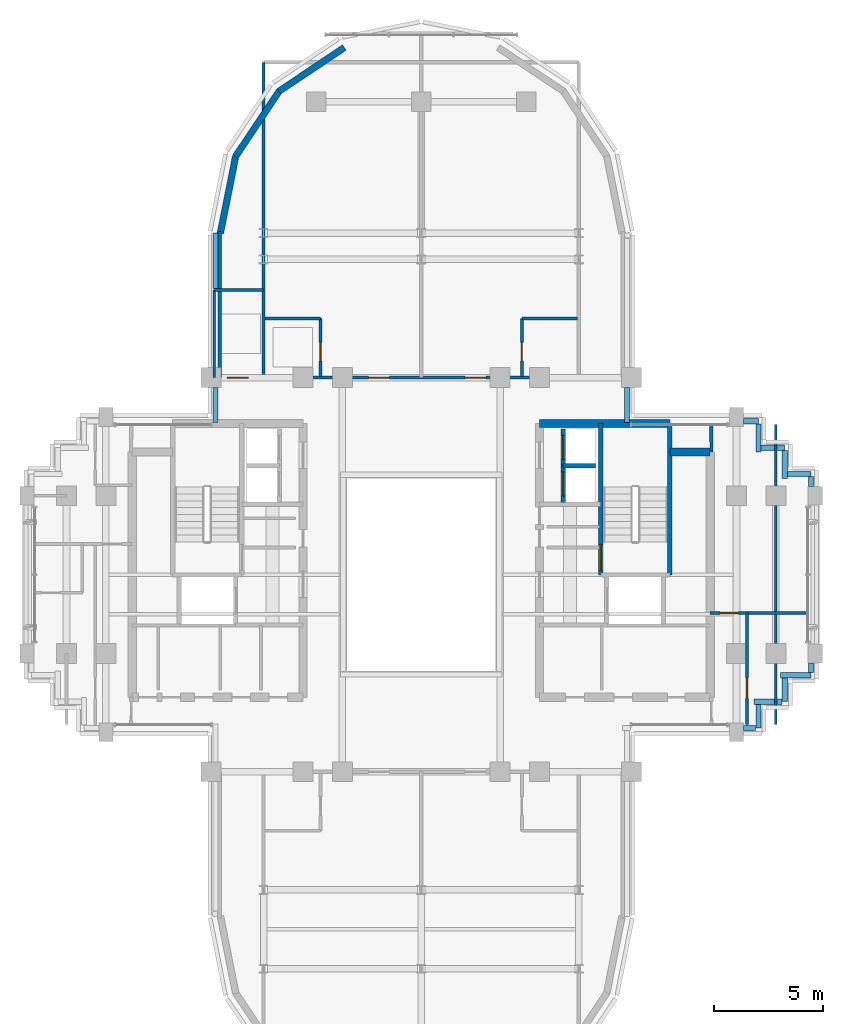
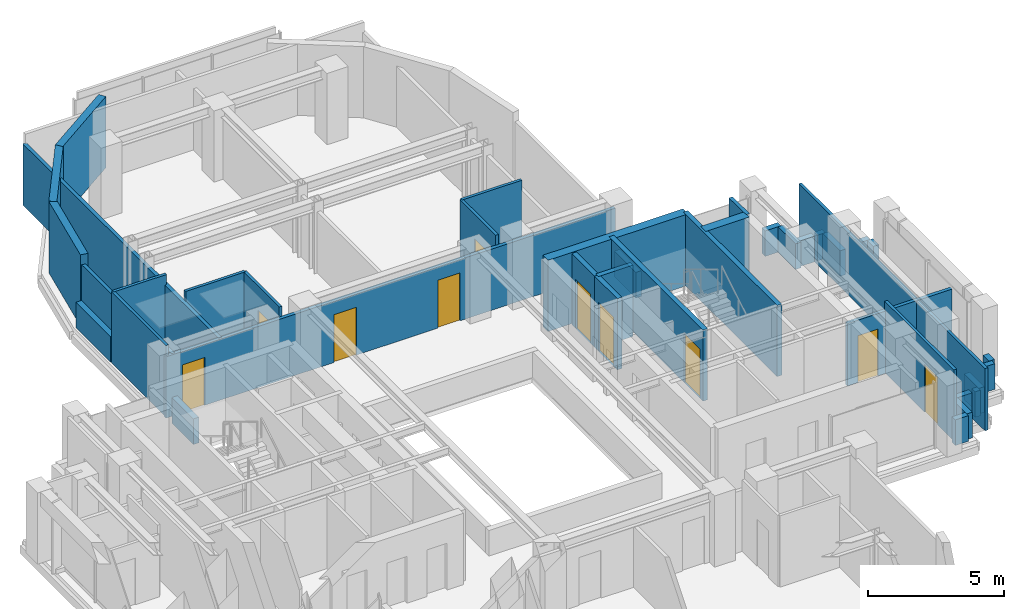
# One storey, part 8 of 12: 40 walls, 10 doors, 10 openings.
"""IFC4 building model written with IfcOpenShell, lengths in metres."""

from ifc_helpers import new_model, si_unit, direction, frame, frame_2d, origin, place, context, subcontext, project, spatial, rectangle, extrude, source, transform, mapped, material, layer, layer_set, type_object, element, fill, save


model = new_model("IFC4")

# Units and contexts
model_context = context("Model", 3, precision=1e-05, world=origin(), true_north=direction((0.0, 1.0)))
body_context = subcontext(model_context, "Body", "Model", "MODEL_VIEW")
ifc_project = project(units=[si_unit("LENGTHUNIT", "METRE"), si_unit("AREAUNIT", "SQUARE_METRE"), si_unit("VOLUMEUNIT", "CUBIC_METRE"), si_unit("PLANEANGLEUNIT", "RADIAN"), si_unit("MASSUNIT", "GRAM", prefix="KILO")], contexts=[model_context])

# Site, building, storey
site_placement = place(None, origin())
site = spatial("IfcSite", under=ifc_project, at=site_placement, CompositionType="ELEMENT")
building_placement = place(site_placement, origin())
building = spatial("IfcBuilding", under=site, at=building_placement, Name="Keilestroom Media Tower", CompositionType="ELEMENT")
storey_placement = place(building_placement, frame((0.0, 0.0, 184.199951171875)))
storey = spatial("IfcBuildingStorey", under=building, at=storey_placement, Name="L50", CompositionType="ELEMENT", Elevation=184.199951171875)

# Walls
ifc_material_1 = material(Name="Precast concrete C40/50", Category="concrete")
ifc_layer_1 = layer(ifc_material_1, 0.300048828125)
ifc_layer_set_1 = layer_set([ifc_layer_1], Name="Precast concrete C40/50")
wall_type_1 = type_object("IfcWallType", Name="Exterior-Masonry-Spandrel-Wall-300", PredefinedType="SOLIDWALL", material=ifc_layer_set_1)
wall_1_placement = place(storey_placement, frame((-3.510009765625, 24.073486328125, 0.0), z_axis=(0.0, 0.0, 1.0), x_axis=(-0.8314749531, -0.555562239868, 0.0)))
element("IfcWall", 1, at=wall_1_placement, inside=storey, type_object=wall_type_1, Name="L50 Lobe Facet Precast Frame Wall 04", PredefinedType="SOLIDWALL", context=body_context, shape_type="SweptSolid", body=[
    extrude(rectangle(XDim=3.59326171875, YDim=0.300048828125, at=frame_2d((1.796630859375, 0.0))), origin(), (0.0, 0.0, 1.0), 3.199951171875),
])
for number, where, z_axis, x_axis, name in (
    (2, (-6.47705078125, 22.097900390625, 0.0), (0.0, 0.0, 1.0), (-0.555574187116, -0.831466970246, 0.0), "L50 Lobe Facet Precast Frame Wall 05"),
    (3, (-8.470703125, 19.12451171875, 0.0), (0.0, 0.0, 1.0), (-0.195114232679, -0.980780523974, 0.0), "L50 Lobe Facet Precast Frame Wall 06"),
):
    element("IfcWall", number, at=place(storey_placement, frame(where, z_axis=z_axis, x_axis=x_axis)), inside=storey, type_object=wall_type_1, Name=name, PredefinedType="SOLIDWALL", context=body_context, shape_type="SweptSolid", body=[
        extrude(rectangle(XDim=3.608642578125, YDim=0.300048828125, at=frame_2d((1.80419921875, 0.0))), origin(), (0.0, 0.0, 1.0), 3.199951171875),
    ])
ifc_material_2 = material(Name="Gypsum Plasterboard & Steel Stud", Category="steel")
ifc_layer_2 = layer(ifc_material_2, 0.1201171875)
ifc_layer_set_2 = layer_set([ifc_layer_2], Name="Gypsum Plasterboard & Steel Stud")
wall_type_2 = type_object("IfcWallType", Name="Interior-Partition-Wall-120", PredefinedType="PARTITIONING", material=ifc_layer_set_2)
wall_2_placement = place(storey_placement, frame((-9.449951171875, 13.0, 0.0), z_axis=(0.0, 0.0, 1.0), x_axis=(1.0, 0.0, 0.0)))
element("IfcWall", 4, at=wall_2_placement, inside=storey, type_object=wall_type_2, Name="L50 Interior Wall WP-L50-H306-WC-N", PredefinedType="PARTITIONING", context=body_context, shape_type="SweptSolid", body=[
    extrude(rectangle(XDim=2.25, YDim=0.1201171875, at=frame_2d((1.125, 0.0))), origin(), (0.0, 0.0, 1.0), 3.199951171875),
])
wall_3_placement = place(storey_placement, frame((-9.449951171875, 9.0, 0.0), z_axis=(0.0, 0.0, 1.0), x_axis=(0.0, 1.0, 0.0)))
element("IfcWall", 5, at=wall_3_placement, inside=storey, type_object=wall_type_2, Name="L50 Interior Wall WP-L50-H306-WC-W", PredefinedType="PARTITIONING", context=body_context, shape_type="SweptSolid", body=[
    extrude(rectangle(XDim=4.0, YDim=0.1201171875, at=frame_2d((2.0, 0.0))), origin(), (0.0, 0.0, 1.0), 3.199951171875),
])

# Wall, opening, door
wall_4_placement = place(storey_placement, frame((-4.60009765625, 9.06005859375, 0.0), z_axis=(0.0, 0.0, 1.0), x_axis=(0.0, 1.0, 0.0)))
wall_4 = element("IfcWall", 6, at=wall_4_placement, inside=storey, type_object=wall_type_2, Name="L50 Interior Wall WP-L50-ENSW-NW", PredefinedType="PARTITIONING", context=body_context, shape_type="SweptSolid", body=[
    extrude(rectangle(XDim=2.639892578125, YDim=0.1201171875, at=frame_2d((1.31982421875, 0.0))), origin(), (0.0, 0.0, 1.0), 3.199951171875),
])
opening_1_placement = place(wall_4_placement, frame((0.699951171875, 0.0, 0.0)))
opening_1 = element("IfcOpeningElement", 7, at=opening_1_placement, cuts=wall_4, Name="Opening DI-05", PredefinedType="OPENING", context=body_context, shape_type="SweptSolid", body=[
    extrude(rectangle(XDim=0.85009765625, YDim=2.10009765625, at=frame_2d((0.425048828125, 1.050048828125))), frame((0.0, 0.070068359375, 0.0), z_axis=(0.0, -1.0, 0.0), x_axis=(1.0, 0.0, 0.0)), (0.0, 0.0, 1.0), 0.14013671875),
])
ifc_material_3 = material(Name="Moisture-Resistant Oak Leaf", Category="wood")
door_type_1 = type_object("IfcDoorType", Name="Interior-En-Suite-And-Cupboard-Door-DI-05", OperationType="NOTDEFINED", PredefinedType="DOOR", material=ifc_material_3)
shared_shape_1 = source(origin(), body_context, "Body", "SweptSolid", [
    extrude(rectangle(XDim=0.85009765625, YDim=2.10009765625, at=frame_2d((0.425048828125, 1.050048828125))), frame((0.0, 0.02490234375, 0.0), z_axis=(0.0, -1.0, 0.0), x_axis=(1.0, 0.0, 0.0)), (0.0, 0.0, 1.0), 0.050048828125),
])
door_1_placement = place(opening_1_placement, origin())
door_1 = element("IfcDoor", 8, at=door_1_placement, inside=storey, type_object=door_type_1, Name="L50 Interior Door DI-L50-DENS-NW", OperationType="SINGLE_SWING_RIGHT", OverallHeight=2.10009765625, OverallWidth=0.85009765625, PredefinedType="DOOR", context=body_context, shape_type="MappedRepresentation", body=[
    mapped(shared_shape_1, transform((0.0, 0.0, 0.0), x_axis=(1.0, 0.0, 0.0), y_axis=(0.0, 1.0, 0.0), z_axis=(0.0, 0.0, 1.0), scale=1.0)),
])
fill(opening_1, door_1)

# Wall
wall_5_placement = place(storey_placement, frame((-7.139892578125, 11.699951171875, 0.0), z_axis=(0.0, 0.0, 1.0), x_axis=(1.0, 0.0, 0.0)))
element("IfcWall", 9, at=wall_5_placement, inside=storey, type_object=wall_type_2, Name="L50 Interior Wall WP-L50-ENSH-NW", PredefinedType="PARTITIONING", context=body_context, shape_type="SweptSolid", body=[
    extrude(rectangle(XDim=2.539794921875, YDim=0.1201171875, at=frame_2d((1.27001953125, 0.0))), origin(), (0.0, 0.0, 1.0), 3.199951171875),
])

# Wall, opening, door
wall_6_placement = place(storey_placement, frame((4.60009765625, 9.06005859375, 0.0), z_axis=(0.0, 0.0, 1.0), x_axis=(0.0, 1.0, 0.0)))
wall_6 = element("IfcWall", 10, at=wall_6_placement, inside=storey, type_object=wall_type_2, Name="L50 Interior Wall WP-L50-ENSW-NE", PredefinedType="PARTITIONING", context=body_context, shape_type="SweptSolid", body=[
    extrude(rectangle(XDim=2.639892578125, YDim=0.1201171875, at=frame_2d((1.31982421875, 0.0))), origin(), (0.0, 0.0, 1.0), 3.199951171875),
])
opening_2_placement = place(wall_6_placement, frame((0.699951171875, 0.0, 0.0)))
opening_2 = element("IfcOpeningElement", 11, at=opening_2_placement, cuts=wall_6, Name="Opening DI-05", PredefinedType="OPENING", context=body_context, shape_type="SweptSolid", body=[
    extrude(rectangle(XDim=0.85009765625, YDim=2.10009765625, at=frame_2d((0.425048828125, 1.050048828125))), frame((0.0, 0.070068359375, 0.0), z_axis=(0.0, -1.0, 0.0), x_axis=(1.0, 0.0, 0.0)), (0.0, 0.0, 1.0), 0.14013671875),
])
door_2_placement = place(opening_2_placement, origin())
door_2 = element("IfcDoor", 12, at=door_2_placement, inside=storey, type_object=door_type_1, Name="L50 Interior Door DI-L50-DENS-NE", OperationType="SINGLE_SWING_RIGHT", OverallHeight=2.10009765625, OverallWidth=0.85009765625, PredefinedType="DOOR", context=body_context, shape_type="MappedRepresentation", body=[
    mapped(shared_shape_1, transform((0.0, 0.0, 0.0), x_axis=(1.0, 0.0, 0.0), y_axis=(0.0, 1.0, 0.0), z_axis=(0.0, 0.0, 1.0), scale=1.0)),
])
fill(opening_2, door_2)

# Walls
wall_7_placement = place(storey_placement, frame((4.60009765625, 11.699951171875, 0.0), z_axis=(0.0, 0.0, 1.0), x_axis=(1.0, 0.0, 0.0)))
element("IfcWall", 13, at=wall_7_placement, inside=storey, type_object=wall_type_2, Name="L50 Interior Wall WP-L50-ENSH-NE", PredefinedType="PARTITIONING", context=body_context, shape_type="SweptSolid", body=[
    extrude(rectangle(XDim=2.539794921875, YDim=0.1201171875, at=frame_2d((1.27001953125, 0.0))), origin(), (0.0, 0.0, 1.0), 3.199951171875),
])
wall_8_placement = place(storey_placement, frame((16.199951171875, -6.85009765625, 0.0), z_axis=(0.0, 0.0, 1.0), x_axis=(0.0, 1.0, 0.0)))
element("IfcWall", 14, at=wall_8_placement, inside=storey, type_object=wall_type_2, Name="L50 Interior Wall WP-L50-HEE-COL", PredefinedType="PARTITIONING", context=body_context, shape_type="SweptSolid", body=[
    extrude(rectangle(XDim=13.7001953125, YDim=0.1201171875, at=frame_2d((6.85009765625, 0.0))), origin(), (0.0, 0.0, 1.0), 2.800048828125),
])

# Wall, opening, door
wall_9_placement = place(storey_placement, frame((14.8798828125, -6.85009765625, 0.0), z_axis=(0.0, 0.0, 1.0), x_axis=(0.0, 1.0, 0.0)))
wall_9 = element("IfcWall", 15, at=wall_9_placement, inside=storey, type_object=wall_type_2, Name="L50 Interior Wall WP-L50-HSKP-W", PredefinedType="PARTITIONING", context=body_context, shape_type="SweptSolid", body=[
    extrude(rectangle(XDim=5.10009765625, YDim=0.1201171875, at=frame_2d((2.550048828125, 0.0))), origin(), (0.0, 0.0, 1.0), 3.199951171875),
])
opening_3_placement = place(wall_9_placement, frame((1.199951171875, 0.0, 0.0)))
opening_3 = element("IfcOpeningElement", 16, at=opening_3_placement, cuts=wall_9, Name="Opening DI-03", PredefinedType="OPENING", context=body_context, shape_type="SweptSolid", body=[
    extrude(rectangle(XDim=0.949951171875, YDim=2.14990234375, at=frame_2d((0.47509765625, 1.074951171875))), frame((0.0, 0.070068359375, 0.0), z_axis=(0.0, -1.0, 0.0), x_axis=(1.0, 0.0, 0.0)), (0.0, 0.0, 1.0), 0.14013671875),
])
ifc_material_4 = material(Name="Lacquered European Oak Leaf", Category="wood")
door_type_2 = type_object("IfcDoorType", Name="Interior-Room-And-Suite-Door-DI-03", OperationType="NOTDEFINED", PredefinedType="DOOR", material=ifc_material_4)
shared_shape_2 = source(origin(), body_context, "Body", "SweptSolid", [
    extrude(rectangle(XDim=0.949951171875, YDim=2.14990234375, at=frame_2d((0.47509765625, 1.074951171875))), frame((0.0, 0.02490234375, 0.0), z_axis=(0.0, -1.0, 0.0), x_axis=(1.0, 0.0, 0.0)), (0.0, 0.0, 1.0), 0.050048828125),
])
door_3_placement = place(opening_3_placement, origin())
door_3 = element("IfcDoor", 17, at=door_3_placement, inside=storey, type_object=door_type_2, Name="L50 Interior Door DI-L50-DHSKP-E", OperationType="SINGLE_SWING_RIGHT", OverallHeight=2.14990234375, OverallWidth=0.949951171875, PredefinedType="DOOR", context=body_context, shape_type="MappedRepresentation", body=[
    mapped(shared_shape_2, transform((0.0, 0.0, 0.0), x_axis=(1.0, 0.0, 0.0), y_axis=(0.0, 1.0, 0.0), z_axis=(0.0, 0.0, 1.0), scale=1.0)),
])
fill(opening_3, door_3)

# Wall, openings, doors
ifc_layer_3 = layer(ifc_material_2, 0.14990234375)
ifc_layer_set_3 = layer_set([ifc_layer_3], Name="Gypsum Plasterboard & Steel Stud")
wall_type_3 = type_object("IfcWallType", Name="Interior-Partition-Wall-150", PredefinedType="PARTITIONING", material=ifc_layer_set_3)
wall_10_placement = place(storey_placement, frame((-9.550048828125, 9.0, 0.0), z_axis=(0.0, 0.0, 1.0), x_axis=(1.0, 0.0, 0.0)))
wall_10 = element("IfcWall", 18, at=wall_10_placement, inside=storey, type_object=wall_type_3, Name="L50 Interior Wall WP-L50-H306-N-BASE", PredefinedType="PARTITIONING", context=body_context, shape_type="SweptSolid", body=[
    extrude(rectangle(XDim=19.10009765625, YDim=0.14990234375, at=frame_2d((9.550048828125, 0.0))), origin(), (0.0, 0.0, 1.0), 2.75),
])
opening_4_placement = place(wall_10_placement, frame((0.699951171875, 0.0, 0.0)))
opening_4 = element("IfcOpeningElement", 19, at=opening_4_placement, cuts=wall_10, Name="Opening DI-03", PredefinedType="OPENING", context=body_context, shape_type="SweptSolid", body=[
    extrude(rectangle(XDim=0.949951171875, YDim=2.14990234375, at=frame_2d((0.47509765625, 1.074951171875))), frame((0.0, 0.0849609375, 0.0), z_axis=(0.0, -1.0, 0.0), x_axis=(1.0, 0.0, 0.0)), (0.0, 0.0, 1.0), 0.169921875),
])
opening_5_placement = place(wall_10_placement, frame((7.14990234375, 0.0, 0.0)))
opening_5 = element("IfcOpeningElement", 20, at=opening_5_placement, cuts=wall_10, Name="Opening DI-03", PredefinedType="OPENING", context=body_context, shape_type="SweptSolid", body=[
    extrude(rectangle(XDim=0.949951171875, YDim=2.14990234375, at=frame_2d((0.47509765625, 1.074951171875))), frame((0.0, 0.0849609375, 0.0), z_axis=(0.0, -1.0, 0.0), x_axis=(1.0, 0.0, 0.0)), (0.0, 0.0, 1.0), 0.169921875),
])
opening_6_placement = place(wall_10_placement, frame((11.550048828125, 0.0, 0.0)))
opening_6 = element("IfcOpeningElement", 21, at=opening_6_placement, cuts=wall_10, Name="Opening DI-03", PredefinedType="OPENING", context=body_context, shape_type="SweptSolid", body=[
    extrude(rectangle(XDim=0.949951171875, YDim=2.14990234375, at=frame_2d((0.47509765625, 1.074951171875))), frame((0.0, 0.0849609375, 0.0), z_axis=(0.0, -1.0, 0.0), x_axis=(1.0, 0.0, 0.0)), (0.0, 0.0, 1.0), 0.169921875),
])
door_4_placement = place(opening_4_placement, origin())
door_4 = element("IfcDoor", 22, at=door_4_placement, inside=storey, type_object=door_type_2, Name="L50 Interior Door DI-L50-DH306-WC", OperationType="SINGLE_SWING_LEFT", OverallHeight=2.14990234375, OverallWidth=0.949951171875, PredefinedType="DOOR", context=body_context, shape_type="MappedRepresentation", body=[
    mapped(shared_shape_2, transform((0.0, 0.0, 0.0), x_axis=(1.0, 0.0, 0.0), y_axis=(0.0, 1.0, 0.0), z_axis=(0.0, 0.0, 1.0), scale=1.0)),
])
fill(opening_4, door_4)
door_5_placement = place(opening_5_placement, origin())
door_5 = element("IfcDoor", 23, at=door_5_placement, inside=storey, type_object=door_type_2, Name="L50 Interior Door DI-L50-DHTL-NW", OperationType="SINGLE_SWING_LEFT", OverallHeight=2.14990234375, OverallWidth=0.949951171875, PredefinedType="DOOR", context=body_context, shape_type="MappedRepresentation", body=[
    mapped(shared_shape_2, transform((0.0, 0.0, 0.0), x_axis=(1.0, 0.0, 0.0), y_axis=(0.0, 1.0, 0.0), z_axis=(0.0, 0.0, 1.0), scale=1.0)),
])
fill(opening_5, door_5)
door_6_placement = place(opening_6_placement, origin())
door_6 = element("IfcDoor", 24, at=door_6_placement, inside=storey, type_object=door_type_2, Name="L50 Interior Door DI-L50-DHTL-NE", OperationType="SINGLE_SWING_LEFT", OverallHeight=2.14990234375, OverallWidth=0.949951171875, PredefinedType="DOOR", context=body_context, shape_type="MappedRepresentation", body=[
    mapped(shared_shape_2, transform((0.0, 0.0, 0.0), x_axis=(1.0, 0.0, 0.0), y_axis=(0.0, 1.0, 0.0), z_axis=(0.0, 0.0, 1.0), scale=1.0)),
])
fill(opening_6, door_6)

# Walls
wall_11_placement = place(storey_placement, frame((-9.199951171875, 9.0, 0.0), z_axis=(0.0, 0.0, 1.0), x_axis=(0.0, 1.0, 0.0)))
element("IfcWall", 25, at=wall_11_placement, inside=storey, type_object=wall_type_3, Name="L50 Interior Wall WP-L50-NL-CHKW", PredefinedType="PARTITIONING", context=body_context, shape_type="SweptSolid", body=[
    extrude(rectangle(XDim=6.679931640625, YDim=0.14990234375, at=frame_2d((3.33984375, 0.0))), origin(), (0.0, 0.0, 1.0), 2.75),
])
wall_12_placement = place(storey_placement, frame((-7.199951171875, 9.0, 0.0), z_axis=(0.0, 0.0, 1.0), x_axis=(0.0, 1.0, 0.0)))
element("IfcWall", 26, at=wall_12_placement, inside=storey, type_object=wall_type_3, Name="L50 Interior Wall WP-L50-H306-NV--72", PredefinedType="PARTITIONING", context=body_context, shape_type="SweptSolid", body=[
    extrude(rectangle(XDim=14.39990234375, YDim=0.14990234375, at=frame_2d((7.199951171875, 0.0))), origin(), (0.0, 0.0, 1.0), 2.75),
])
wall_13_placement = place(storey_placement, frame((13.260009765625, 5.60009765625, 0.0), z_axis=(0.0, 0.0, 1.0), x_axis=(-0.016013571389, 0.999871774545, 0.0)))
element("IfcWall", 27, at=wall_13_placement, inside=storey, type_object=wall_type_3, Name="L50 Interior Wall WP-L50-HEE-ENK", PredefinedType="PARTITIONING", context=body_context, shape_type="SweptSolid", body=[
    extrude(rectangle(XDim=1.250244140625, YDim=0.14990234375, at=frame_2d((0.625, 0.0))), origin(), (0.0, 0.0, 1.0), 3.199951171875),
])

# Wall, opening, door
wall_14_placement = place(storey_placement, frame((13.199951171875, -1.75, 0.0), z_axis=(0.0, 0.0, 1.0), x_axis=(1.0, 0.0, 0.0)))
wall_14 = element("IfcWall", 28, at=wall_14_placement, inside=storey, type_object=wall_type_3, Name="L50 Interior Wall WP-L50-HLNG-S", PredefinedType="PARTITIONING", context=body_context, shape_type="SweptSolid", body=[
    extrude(rectangle(XDim=4.449951171875, YDim=0.14990234375, at=frame_2d((2.22509765625, 0.0))), origin(), (0.0, 0.0, 1.0), 2.800048828125),
])
opening_7_placement = place(wall_14_placement, frame((0.449951171875, 0.0, 0.0)))
opening_7 = element("IfcOpeningElement", 29, at=opening_7_placement, cuts=wall_14, Name="Opening DI-05", PredefinedType="OPENING", context=body_context, shape_type="SweptSolid", body=[
    extrude(rectangle(XDim=0.85009765625, YDim=2.10009765625, at=frame_2d((0.425048828125, 1.050048828125))), frame((0.0, 0.0849609375, 0.0), z_axis=(0.0, -1.0, 0.0), x_axis=(1.0, 0.0, 0.0)), (0.0, 0.0, 1.0), 0.169921875),
])
door_7_placement = place(opening_7_placement, origin())
door_7 = element("IfcDoor", 30, at=door_7_placement, inside=storey, type_object=door_type_1, Name="L50 Interior Door DI-L50-DLNG-E", OperationType="SINGLE_SWING_LEFT", OverallHeight=2.10009765625, OverallWidth=0.85009765625, PredefinedType="DOOR", context=body_context, shape_type="MappedRepresentation", body=[
    mapped(shared_shape_1, transform((0.0, 0.0, 0.0), x_axis=(1.0, 0.0, 0.0), y_axis=(0.0, 1.0, 0.0), z_axis=(0.0, 0.0, 1.0), scale=1.0)),
])
fill(opening_7, door_7)

# Walls
ifc_material_5 = material(Name="Concrete C55/67", Category="concrete")
ifc_layer_4 = layer(ifc_material_5, 0.3798828125)
ifc_layer_set_4 = layer_set([ifc_layer_4], Name="Concrete C55/67")
wall_type_4 = type_object("IfcWallType", Name="Reinforced-Concrete-Core-Shear-Wall-380", PredefinedType="SHEAR", material=ifc_layer_set_4)
wall_15_placement = place(storey_placement, frame((5.39990234375, 6.89990234375, 0.0), z_axis=(0.0, 0.0, 1.0), x_axis=(1.0, 0.0, 0.0)))
element("IfcWall", 31, at=wall_15_placement, inside=storey, type_object=wall_type_4, Name="L50 Core Shear Wall WL-L50-CORE-E-N", PredefinedType="SHEAR", context=body_context, shape_type="SweptSolid", body=[
    extrude(rectangle(XDim=5.9560546875, YDim=0.3798828125, at=frame_2d((2.97802734375, 0.0))), origin(), (0.0, 0.0, 1.0), 3.199951171875),
])
wall_16_placement = place(storey_placement, frame((11.35595703125, 5.60009765625, 0.0), z_axis=(0.0, 0.0, 1.0), x_axis=(1.0, 0.0, 0.0)))
element("IfcWall", 32, at=wall_16_placement, inside=storey, type_object=wall_type_4, Name="L50 Core Shear Wall WL-L50-CNE-N", PredefinedType="SHEAR", context=body_context, shape_type="SweptSolid", body=[
    extrude(rectangle(XDim=1.843994140625, YDim=0.3798828125, at=frame_2d((0.921875, 0.0))), origin(), (0.0, 0.0, 1.0), 3.199951171875),
])

# Wall, opening, door
ifc_material_6 = material(Name="Concrete C50/60", Category="concrete")
ifc_layer_5 = layer(ifc_material_6, 0.199951171875)
ifc_layer_set_5 = layer_set([ifc_layer_5], Name="Concrete C50/60")
wall_type_5 = type_object("IfcWallType", Name="Reinforced-Concrete-Shaft-Wall-200", PredefinedType="SOLIDWALL", material=ifc_layer_set_5)
wall_17_placement = place(storey_placement, frame((8.2041015625, -0.01611328125, 0.0), z_axis=(0.0, 0.0, 1.0), x_axis=(0.0, 1.0, 0.0)))
wall_17 = element("IfcWall", 33, at=wall_17_placement, inside=storey, type_object=wall_type_5, Name="L50 Core Shear Wall WL-L50-STW-E-NEAR", PredefinedType="SOLIDWALL", context=body_context, shape_type="SweptSolid", body=[
    extrude(rectangle(XDim=6.916015625, YDim=0.199951171875, at=frame_2d((3.4580078125, 0.0))), origin(), (0.0, 0.0, 1.0), 3.199951171875),
])
opening_8_placement = place(wall_17_placement, frame((0.199951171875, 0.0, 0.0)))
opening_8 = element("IfcOpeningElement", 34, at=opening_8_placement, cuts=wall_17, Name="Opening DI-01S", PredefinedType="OPENING", context=body_context, shape_type="SweptSolid", body=[
    extrude(rectangle(XDim=1.199951171875, YDim=2.199951171875, at=frame_2d((0.60009765625, 1.10009765625))), frame((0.0, 0.10986328125, 0.0), z_axis=(0.0, -1.0, 0.0), x_axis=(1.0, 0.0, 0.0)), (0.0, 0.0, 1.0), 0.219970703125),
])
ifc_material_7 = material(Name="Powder-Coated Steel Fire Leaf", Category="steel")
door_type_3 = type_object("IfcDoorType", Name="Interior-Stair-And-Core-Fire-Door-DI-01", OperationType="NOTDEFINED", PredefinedType="DOOR", material=ifc_material_7)
shared_shape_3 = source(origin(), body_context, "Body", "SweptSolid", [
    extrude(rectangle(XDim=1.199951171875, YDim=2.199951171875, at=frame_2d((0.60009765625, 1.10009765625))), frame((0.0, 0.02490234375, 0.0), z_axis=(0.0, -1.0, 0.0), x_axis=(1.0, 0.0, 0.0)), (0.0, 0.0, 1.0), 0.050048828125),
])
door_8_placement = place(opening_8_placement, origin())
door_8 = element("IfcDoor", 35, at=door_8_placement, inside=storey, type_object=door_type_3, Name="L50 Escape Stair ST-2 Fire Door", OperationType="SINGLE_SWING_RIGHT", OverallHeight=2.199951171875, OverallWidth=1.199951171875, PredefinedType="DOOR", context=body_context, shape_type="MappedRepresentation", body=[
    mapped(shared_shape_3, transform((0.0, 0.0, 0.0), x_axis=(1.0, 0.0, 0.0), y_axis=(0.0, 1.0, 0.0), z_axis=(0.0, 0.0, 1.0), scale=1.0)),
])
fill(opening_8, door_8)

# Wall
wall_18_placement = place(storey_placement, frame((11.35595703125, -0.01611328125, 0.0), z_axis=(0.0, 0.0, 1.0), x_axis=(0.0, 1.0, 0.0)))
element("IfcWall", 36, at=wall_18_placement, inside=storey, type_object=wall_type_5, Name="L50 Core Shear Wall WL-L50-STW-E-FAR", PredefinedType="SOLIDWALL", context=body_context, shape_type="SweptSolid", body=[
    extrude(rectangle(XDim=6.916015625, YDim=0.199951171875, at=frame_2d((3.4580078125, 0.0))), origin(), (0.0, 0.0, 1.0), 3.199951171875),
])

# Wall, opening, door
wall_19_placement = place(storey_placement, frame((6.47998046875, 3.300048828125, 0.0), z_axis=(0.0, 0.0, 1.0), x_axis=(0.0, 1.0, 0.0)))
wall_19 = element("IfcWall", 37, at=wall_19_placement, inside=storey, type_object=wall_type_5, Name="L50 Core Shear Wall WL-L50-LSH-PL-H3-W", PredefinedType="SOLIDWALL", context=body_context, shape_type="SweptSolid", body=[
    extrude(rectangle(XDim=1.679931640625, YDim=0.199951171875, at=frame_2d((0.83984375, 0.0))), origin(), (0.0, 0.0, 1.0), 3.199951171875),
])
opening_9_placement = place(wall_19_placement, frame((0.2900390625, 0.0, 0.0)))
opening_9 = element("IfcOpeningElement", 38, at=opening_9_placement, cuts=wall_19, Name="Opening LD-01", PredefinedType="OPENING", context=body_context, shape_type="SweptSolid", body=[
    extrude(rectangle(XDim=1.10009765625, YDim=2.199951171875, at=frame_2d((0.550048828125, 1.10009765625))), frame((0.0, 0.10986328125, 0.0), z_axis=(0.0, -1.0, 0.0), x_axis=(1.0, 0.0, 0.0)), (0.0, 0.0, 1.0), 0.219970703125),
])
ifc_material_8 = material(Name="Brushed Stainless Steel Sliding Leaf", Category="steel")
door_type_4 = type_object("IfcDoorType", Name="Lift-Landing-Sliding-Door-LD-01", OperationType="SLIDING_TO_LEFT", PredefinedType="DOOR", material=ifc_material_8)
shared_shape_4 = source(origin(), body_context, "Body", "SweptSolid", [
    extrude(rectangle(XDim=1.10009765625, YDim=2.199951171875, at=frame_2d((0.550048828125, 1.10009765625))), frame((0.0, 0.02490234375, 0.0), z_axis=(0.0, -1.0, 0.0), x_axis=(1.0, 0.0, 0.0)), (0.0, 0.0, 1.0), 0.050048828125),
])
door_9_placement = place(opening_9_placement, origin())
door_9 = element("IfcDoor", 39, at=door_9_placement, inside=storey, type_object=door_type_4, Name="L50 Lift PL-H3 Landing Sliding Door", OperationType="SLIDING_TO_LEFT", OverallHeight=2.199951171875, OverallWidth=1.10009765625, PredefinedType="DOOR", context=body_context, shape_type="MappedRepresentation", body=[
    mapped(shared_shape_4, transform((0.0, 0.0, 0.0), x_axis=(1.0, 0.0, 0.0), y_axis=(0.0, 1.0, 0.0), z_axis=(0.0, 0.0, 1.0), scale=1.0)),
])
fill(opening_9, door_9)

# Wall
wall_20_placement = place(storey_placement, frame((6.47998046875, 4.97998046875, 0.0), z_axis=(0.0, 0.0, 1.0), x_axis=(1.0, 0.0, 0.0)))
element("IfcWall", 40, at=wall_20_placement, inside=storey, type_object=wall_type_5, Name="L50 Core Shear Wall WL-L50-LSH-PL-H3-N", PredefinedType="SOLIDWALL", context=body_context, shape_type="SweptSolid", body=[
    extrude(rectangle(XDim=1.469970703125, YDim=0.199951171875, at=frame_2d((0.73486328125, 0.0))), origin(), (0.0, 0.0, 1.0), 3.199951171875),
])

# Wall, opening, door
wall_21_placement = place(storey_placement, frame((6.47998046875, 4.97998046875, 0.0), z_axis=(0.0, 0.0, 1.0), x_axis=(0.0, 1.0, 0.0)))
wall_21 = element("IfcWall", 41, at=wall_21_placement, inside=storey, type_object=wall_type_5, Name="L50 Core Shear Wall WL-L50-LSH-PL-H4-W", PredefinedType="SOLIDWALL", context=body_context, shape_type="SweptSolid", body=[
    extrude(rectangle(XDim=1.669921875, YDim=0.199951171875, at=frame_2d((0.8349609375, 0.0))), origin(), (0.0, 0.0, 1.0), 3.199951171875),
])
opening_10_placement = place(wall_21_placement, frame((0.284912109375, 0.0, 0.0)))
opening_10 = element("IfcOpeningElement", 42, at=opening_10_placement, cuts=wall_21, Name="Opening LD-01", PredefinedType="OPENING", context=body_context, shape_type="SweptSolid", body=[
    extrude(rectangle(XDim=1.10009765625, YDim=2.199951171875, at=frame_2d((0.550048828125, 1.10009765625))), frame((0.0, 0.10986328125, 0.0), z_axis=(0.0, -1.0, 0.0), x_axis=(1.0, 0.0, 0.0)), (0.0, 0.0, 1.0), 0.219970703125),
])
door_10_placement = place(opening_10_placement, origin())
door_10 = element("IfcDoor", 43, at=door_10_placement, inside=storey, type_object=door_type_4, Name="L50 Lift PL-H4 Landing Sliding Door", OperationType="SLIDING_TO_LEFT", OverallHeight=2.199951171875, OverallWidth=1.10009765625, PredefinedType="DOOR", context=body_context, shape_type="MappedRepresentation", body=[
    mapped(shared_shape_4, transform((0.0, 0.0, 0.0), x_axis=(1.0, 0.0, 0.0), y_axis=(0.0, 1.0, 0.0), z_axis=(0.0, 0.0, 1.0), scale=1.0)),
])
fill(opening_10, door_10)

# Walls
ifc_layer_6 = layer(ifc_material_1, 0.239990234375)
ifc_layer_set_6 = layer_set([ifc_layer_6], Name="Precast concrete C40/50")
wall_type_6 = type_object("IfcWallType", Name="Roof-And-Terrace-Parapet-Wall-240", PredefinedType="PARAPET", material=ifc_layer_set_6)
wall_22_placement = place(storey_placement, frame((17.800048828125, -4.60009765625, 0.0), z_axis=(0.0, 0.0, 1.0), x_axis=(-1.0, 0.0, 0.0)))
element("IfcWall", 44, at=wall_22_placement, inside=storey, type_object=wall_type_6, Name="L50 Perimeter Edge Parapet Wall 01", PredefinedType="PARAPET", context=body_context, shape_type="SweptSolid", body=[
    extrude(rectangle(XDim=1.400146484375, YDim=0.239990234375, at=frame_2d((0.7001953125, 0.0))), origin(), (0.0, 0.0, 1.0), 1.150146484375),
])
wall_23_placement = place(storey_placement, frame((16.60009765625, -4.722900390625, 0.0), z_axis=(0.0, 0.0, 1.0), x_axis=(0.0, -1.0, 0.0)))
element("IfcWall", 45, at=wall_23_placement, inside=storey, type_object=wall_type_6, Name="L50 Perimeter Edge Parapet Wall 02", PredefinedType="PARAPET", context=body_context, shape_type="SweptSolid", body=[
    extrude(rectangle(XDim=1.0771484375, YDim=0.239990234375, at=frame_2d((0.53857421875, 0.0))), origin(), (0.0, 0.0, 1.0), 1.150146484375),
])
wall_24_placement = place(storey_placement, frame((16.47705078125, -5.800048828125, 0.0), z_axis=(0.0, 0.0, 1.0), x_axis=(-1.0, 0.0, 0.0)))
element("IfcWall", 46, at=wall_24_placement, inside=storey, type_object=wall_type_6, Name="L50 Perimeter Edge Parapet Wall 03", PredefinedType="PARAPET", context=body_context, shape_type="SweptSolid", body=[
    extrude(rectangle(XDim=0.214111328125, YDim=0.239990234375, at=frame_2d((0.10693359375, 0.0))), origin(), (0.0, 0.0, 1.0), 1.150146484375),
])
wall_25_placement = place(storey_placement, frame((16.136962890625, -5.800048828125, 0.0), z_axis=(0.0, 0.0, 1.0), x_axis=(-1.0, 0.0, 0.0)))
element("IfcWall", 47, at=wall_25_placement, inside=storey, type_object=wall_type_6, Name="L50 Perimeter Edge Parapet Wall 04", PredefinedType="PARAPET", context=body_context, shape_type="SweptSolid", body=[
    extrude(rectangle(XDim=0.93701171875, YDim=0.239990234375, at=frame_2d((0.468505859375, 0.0))), origin(), (0.0, 0.0, 1.0), 1.150146484375),
])
wall_26_placement = place(storey_placement, frame((15.39990234375, -5.923095703125, 0.0), z_axis=(0.0, 0.0, 1.0), x_axis=(0.0, -1.0, 0.0)))
element("IfcWall", 48, at=wall_26_placement, inside=storey, type_object=wall_type_6, Name="L50 Perimeter Edge Parapet Wall 05", PredefinedType="PARAPET", context=body_context, shape_type="SweptSolid", body=[
    extrude(rectangle(XDim=1.076904296875, YDim=0.239990234375, at=frame_2d((0.53857421875, 0.0))), origin(), (0.0, 0.0, 1.0), 1.150146484375),
])
wall_27_placement = place(storey_placement, frame((15.277099609375, -7.0, 0.0), z_axis=(0.0, 0.0, 1.0), x_axis=(-1.0, 0.0, 0.0)))
element("IfcWall", 49, at=wall_27_placement, inside=storey, type_object=wall_type_6, Name="L50 Perimeter Edge Parapet Wall 06", PredefinedType="PARAPET", context=body_context, shape_type="SweptSolid", body=[
    extrude(rectangle(XDim=0.549072265625, YDim=0.239990234375, at=frame_2d((0.2744140625, 0.0))), origin(), (0.0, 0.0, 1.0), 1.150146484375),
])
wall_28_placement = place(storey_placement, frame((-9.39990234375, 6.952880859375, 0.0), z_axis=(0.0, 0.0, 1.0), x_axis=(0.0, 1.0, 0.0)))
element("IfcWall", 50, at=wall_28_placement, inside=storey, type_object=wall_type_6, Name="L50 Perimeter Edge Parapet Wall 26", PredefinedType="PARAPET", context=body_context, shape_type="SweptSolid", body=[
    extrude(rectangle(XDim=1.59423828125, YDim=0.239990234375, at=frame_2d((0.797119140625, 0.0))), origin(), (0.0, 0.0, 1.0), 1.150146484375),
])
wall_29_placement = place(storey_placement, frame((-9.39990234375, 13.06298828125, 0.0), z_axis=(0.0, 0.0, 1.0), x_axis=(0.0, 1.0, 0.0)))
element("IfcWall", 51, at=wall_29_placement, inside=storey, type_object=wall_type_6, Name="L50 Perimeter Edge Parapet Wall 27", PredefinedType="PARAPET", context=body_context, shape_type="SweptSolid", body=[
    extrude(rectangle(XDim=2.539794921875, YDim=0.239990234375, at=frame_2d((1.27001953125, 0.0))), origin(), (0.0, 0.0, 1.0), 1.150146484375),
])
wall_30_placement = place(storey_placement, frame((9.39990234375, 8.547119140625, 0.0), z_axis=(0.0, 0.0, 1.0), x_axis=(0.0, -1.0, 0.0)))
element("IfcWall", 52, at=wall_30_placement, inside=storey, type_object=wall_type_6, Name="L50 Perimeter Edge Parapet Wall 30", PredefinedType="PARAPET", context=body_context, shape_type="SweptSolid", body=[
    extrude(rectangle(XDim=1.59423828125, YDim=0.239990234375, at=frame_2d((0.797119140625, 0.0))), origin(), (0.0, 0.0, 1.0), 1.150146484375),
])
wall_31_placement = place(storey_placement, frame((14.72802734375, 7.0, 0.0), z_axis=(0.0, 0.0, 1.0), x_axis=(1.0, 0.0, 0.0)))
element("IfcWall", 53, at=wall_31_placement, inside=storey, type_object=wall_type_6, Name="L50 Perimeter Edge Parapet Wall 31", PredefinedType="PARAPET", context=body_context, shape_type="SweptSolid", body=[
    extrude(rectangle(XDim=0.671875, YDim=0.239990234375, at=frame_2d((0.3359375, 0.0))), origin(), (0.0, 0.0, 1.0), 1.150146484375),
])
wall_32_placement = place(storey_placement, frame((15.39990234375, 6.876953125, 0.0), z_axis=(0.0, 0.0, 1.0), x_axis=(0.0, -1.0, 0.0)))
element("IfcWall", 54, at=wall_32_placement, inside=storey, type_object=wall_type_6, Name="L50 Perimeter Edge Parapet Wall 32", PredefinedType="PARAPET", context=body_context, shape_type="SweptSolid", body=[
    extrude(rectangle(XDim=1.27685546875, YDim=0.239990234375, at=frame_2d((0.638427734375, 0.0))), origin(), (0.0, 0.0, 1.0), 1.150146484375),
])
wall_33_placement = place(storey_placement, frame((15.52294921875, 5.800048828125, 0.0), z_axis=(0.0, 0.0, 1.0), x_axis=(1.0, 0.0, 0.0)))
element("IfcWall", 55, at=wall_33_placement, inside=storey, type_object=wall_type_6, Name="L50 Perimeter Edge Parapet Wall 33", PredefinedType="PARAPET", context=body_context, shape_type="SweptSolid", body=[
    extrude(rectangle(XDim=0.614013671875, YDim=0.239990234375, at=frame_2d((0.30712890625, 0.0))), origin(), (0.0, 0.0, 1.0), 1.150146484375),
])
wall_34_placement = place(storey_placement, frame((16.262939453125, 5.800048828125, 0.0), z_axis=(0.0, 0.0, 1.0), x_axis=(1.0, 0.0, 0.0)))
element("IfcWall", 56, at=wall_34_placement, inside=storey, type_object=wall_type_6, Name="L50 Perimeter Edge Parapet Wall 34", PredefinedType="PARAPET", context=body_context, shape_type="SweptSolid", body=[
    extrude(rectangle(XDim=0.337158203125, YDim=0.239990234375, at=frame_2d((0.16845703125, 0.0))), origin(), (0.0, 0.0, 1.0), 1.150146484375),
])
wall_35_placement = place(storey_placement, frame((16.60009765625, 5.677001953125, 0.0), z_axis=(0.0, 0.0, 1.0), x_axis=(0.0, -1.0, 0.0)))
element("IfcWall", 57, at=wall_35_placement, inside=storey, type_object=wall_type_6, Name="L50 Perimeter Edge Parapet Wall 35", PredefinedType="PARAPET", context=body_context, shape_type="SweptSolid", body=[
    extrude(rectangle(XDim=1.277099609375, YDim=0.239990234375, at=frame_2d((0.638671875, 0.0))), origin(), (0.0, 0.0, 1.0), 1.150146484375),
])
wall_36_placement = place(storey_placement, frame((16.722900390625, 4.60009765625, 0.0), z_axis=(0.0, 0.0, 1.0), x_axis=(1.0, 0.0, 0.0)))
element("IfcWall", 58, at=wall_36_placement, inside=storey, type_object=wall_type_6, Name="L50 Perimeter Edge Parapet Wall 36", PredefinedType="PARAPET", context=body_context, shape_type="SweptSolid", body=[
    extrude(rectangle(XDim=1.0771484375, YDim=0.239990234375, at=frame_2d((0.53857421875, 0.0))), origin(), (0.0, 0.0, 1.0), 1.150146484375),
])
for number, where, z_axis, x_axis, name in (
    (59, (17.800048828125, 4.47705078125, 0.0), (0.0, 0.0, 1.0), (0.0, -1.0, 0.0), "L50 Perimeter Edge Parapet Wall 37"),
    (60, (17.800048828125, -4.028076171875, 0.0), (0.0, 0.0, 1.0), (0.0, -1.0, 0.0), "L50 Perimeter Edge Parapet Wall 38"),
):
    element("IfcWall", number, at=place(storey_placement, frame(where, z_axis=z_axis, x_axis=x_axis)), inside=storey, type_object=wall_type_6, Name=name, PredefinedType="PARAPET", context=body_context, shape_type="SweptSolid", body=[
        extrude(rectangle(XDim=0.448974609375, YDim=0.239990234375, at=frame_2d((0.224609375, 0.0))), origin(), (0.0, 0.0, 1.0), 1.150146484375),
    ])

save(model, "model.ifc")
